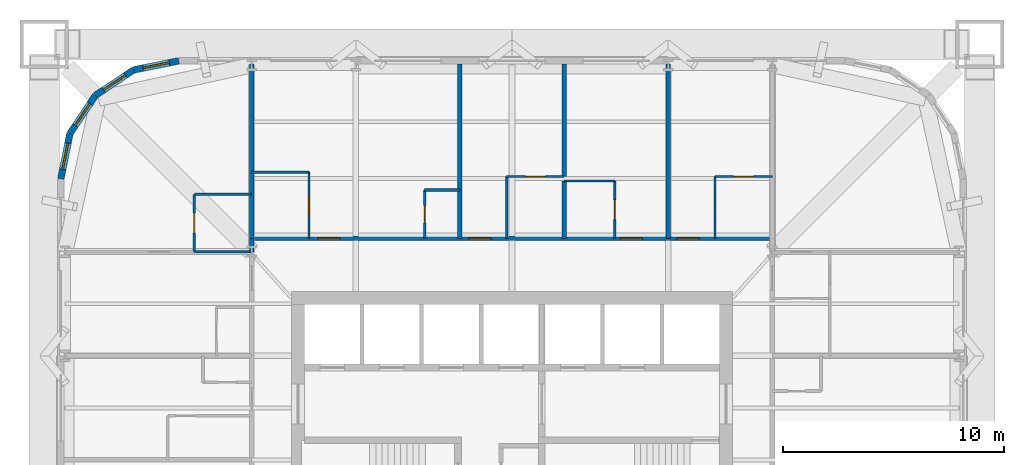
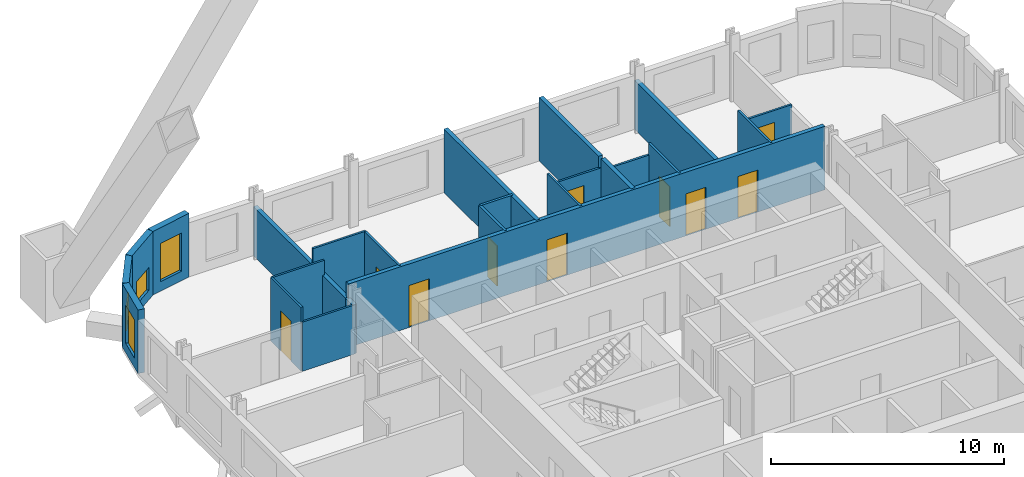
# One storey, part 7 of 9: 24 walls, 10 doors, 4 windows, 14 openings.
"""IFC4 building model written with IfcOpenShell, lengths in metres."""

from ifc_helpers import new_model, si_unit, direction, frame, frame_2d, origin, place, context, subcontext, project, spatial, rectangle, extrude, material, layer, layer_set, type_object, element, fill, save


model = new_model("IFC4")

# Units and contexts
model_context = context("Model", 3, precision=1e-05, world=origin(), true_north=direction((0.0, 1.0)))
body_context = subcontext(model_context, "Body", "Model", "MODEL_VIEW")
ifc_project = project(units=[si_unit("LENGTHUNIT", "METRE"), si_unit("AREAUNIT", "SQUARE_METRE"), si_unit("VOLUMEUNIT", "CUBIC_METRE"), si_unit("PLANEANGLEUNIT", "RADIAN"), si_unit("MASSUNIT", "GRAM", prefix="KILO")], contexts=[model_context])

# Site, building, storey
site_placement = place(None, origin())
site = spatial("IfcSite", under=ifc_project, at=site_placement, CompositionType="ELEMENT")
building_placement = place(site_placement, origin())
building = spatial("IfcBuilding", under=site, at=building_placement, Name="Turquesa Mirador Hotel Tower", CompositionType="ELEMENT")
storey_placement = place(building_placement, frame((0.0, 0.0, 93.39990234375)))
storey = spatial("IfcBuildingStorey", under=building, at=storey_placement, Name="L24", CompositionType="ELEMENT", Elevation=93.39990234375)

# Walls
ifc_material_1 = material(Name="Gypsum board on steel studs", Category="steel")
ifc_layer_1 = layer(ifc_material_1, 0.10009765625)
ifc_layer_set_1 = layer_set([ifc_layer_1], Name="BATHROOM WALL 100")
wall_type_1 = type_object("IfcWallType", Name="BATHROOM WALL 100", PredefinedType="PARTITIONING", material=ifc_layer_set_1)
wall_1_placement = place(storey_placement, frame((40.60009765625, 56.800048828125, 0.0), z_axis=(0.0, 0.0, 1.0), x_axis=(1.0, 0.0, 0.0)))
element("IfcWall", 1, at=wall_1_placement, inside=storey, type_object=wall_type_1, Name="Partition L24 021", PredefinedType="PARTITIONING", context=body_context, shape_type="SweptSolid", body=[
    extrude(rectangle(XDim=2.599853515625, YDim=0.10009765625, at=frame_2d((1.2998046875, 0.0))), origin(), (0.0, 0.0, 1.0), 2.5732421875),
])
wall_2_placement = place(storey_placement, frame((40.60009765625, 59.39990234375, 0.0), z_axis=(0.0, 0.0, 1.0), x_axis=(1.0, 0.0, 0.0)))
element("IfcWall", 2, at=wall_2_placement, inside=storey, type_object=wall_type_1, Name="Partition L24 025", PredefinedType="PARTITIONING", context=body_context, shape_type="SweptSolid", body=[
    extrude(rectangle(XDim=2.599853515625, YDim=0.10009765625, at=frame_2d((1.2998046875, 0.0))), origin(), (0.0, 0.0, 1.0), 3.330078125),
])
wall_3_placement = place(storey_placement, frame((57.360107421875, 60.0, 0.0), z_axis=(0.0, 0.0, 1.0), x_axis=(1.0, 0.0, 0.0)))
element("IfcWall", 3, at=wall_3_placement, inside=storey, type_object=wall_type_1, Name="Partition L24 027", PredefinedType="PARTITIONING", context=body_context, shape_type="SweptSolid", body=[
    extrude(rectangle(XDim=2.2998046875, YDim=0.10009765625, at=frame_2d((1.14990234375, 0.0))), origin(), (0.0, 0.0, 1.0), 2.730712890625),
])

# Wall, opening, door
wall_4_placement = place(storey_placement, frame((54.760009765625, 60.199951171875, 0.0), z_axis=(0.0, 0.0, 1.0), x_axis=(1.0, 0.0, 0.0)))
wall_4 = element("IfcWall", 4, at=wall_4_placement, inside=storey, type_object=wall_type_1, Name="Partition L24 028", PredefinedType="PARTITIONING", context=body_context, shape_type="SweptSolid", body=[
    extrude(rectangle(XDim=2.60009765625, YDim=0.10009765625, at=frame_2d((1.300048828125, 0.0))), origin(), (0.0, 0.0, 1.0), 2.730712890625),
])
opening_1_placement = place(wall_4_placement, frame((0.85009765625, 0.0, 0.0)))
opening_1 = element("IfcOpeningElement", 5, at=opening_1_placement, cuts=wall_4, Name="Opening D02", PredefinedType="OPENING", context=body_context, shape_type="SweptSolid", body=[
    extrude(rectangle(XDim=0.89990234375, YDim=2.10009765625, at=frame_2d((0.449951171875, 1.050048828125))), frame((0.0, 0.06005859375, 0.0), z_axis=(0.0, -1.0, 0.0), x_axis=(1.0, 0.0, 0.0)), (0.0, 0.0, 1.0), 0.1201171875),
])
ifc_material_2 = material(Name="Timber veneered door", Category="wood")
door_type_1 = type_object("IfcDoorType", Name="DOOR 900X2100 EN-SUITE", OperationType="SINGLE_SWING_RIGHT", PredefinedType="DOOR", material=ifc_material_2)
door_1_placement = place(opening_1_placement, origin())
door_1 = element("IfcDoor", 6, at=door_1_placement, inside=storey, type_object=door_type_1, Name="Door 2402B", OperationType="SINGLE_SWING_RIGHT", OverallHeight=2.10009765625, OverallWidth=0.89990234375, PredefinedType="DOOR", context=body_context, shape_type="SweptSolid", body=[
    extrude(rectangle(XDim=0.89990234375, YDim=2.10009765625, at=frame_2d((0.449951171875, 1.050048828125))), frame((0.0, 0.02490234375, 0.0), z_axis=(0.0, -1.0, 0.0), x_axis=(1.0, 0.0, 0.0)), (0.0, 0.0, 1.0), 0.050048828125),
])
fill(opening_1, door_1)

wall_5_placement = place(storey_placement, frame((64.199951171875, 60.199951171875, 0.0), z_axis=(0.0, 0.0, 1.0), x_axis=(1.0, 0.0, 0.0)))
wall_5 = element("IfcWall", 7, at=wall_5_placement, inside=storey, type_object=wall_type_1, Name="Partition L24 029", PredefinedType="PARTITIONING", context=body_context, shape_type="SweptSolid", body=[
    extrude(rectangle(XDim=2.60009765625, YDim=0.10009765625, at=frame_2d((1.300048828125, 0.0))), origin(), (0.0, 0.0, 1.0), 2.730712890625),
])
opening_2_placement = place(wall_5_placement, frame((0.85009765625, 0.0, 0.0)))
opening_2 = element("IfcOpeningElement", 8, at=opening_2_placement, cuts=wall_5, Name="Opening D02", PredefinedType="OPENING", context=body_context, shape_type="SweptSolid", body=[
    extrude(rectangle(XDim=0.89990234375, YDim=2.10009765625, at=frame_2d((0.449951171875, 1.050048828125))), frame((0.0, 0.06005859375, 0.0), z_axis=(0.0, -1.0, 0.0), x_axis=(1.0, 0.0, 0.0)), (0.0, 0.0, 1.0), 0.1201171875),
])
door_2_placement = place(opening_2_placement, origin())
door_2 = element("IfcDoor", 9, at=door_2_placement, inside=storey, type_object=door_type_1, Name="Door 2404B", OperationType="SINGLE_SWING_RIGHT", OverallHeight=2.10009765625, OverallWidth=0.89990234375, PredefinedType="DOOR", context=body_context, shape_type="SweptSolid", body=[
    extrude(rectangle(XDim=0.89990234375, YDim=2.10009765625, at=frame_2d((0.449951171875, 1.050048828125))), frame((0.0, 0.02490234375, 0.0), z_axis=(0.0, -1.0, 0.0), x_axis=(1.0, 0.0, 0.0)), (0.0, 0.0, 1.0), 0.050048828125),
])
fill(opening_2, door_2)

# Walls
wall_6_placement = place(storey_placement, frame((43.199951171875, 60.39990234375, 0.0), z_axis=(0.0, 0.0, 1.0), x_axis=(1.0, 0.0, 0.0)))
element("IfcWall", 10, at=wall_6_placement, inside=storey, type_object=wall_type_1, Name="Partition L24 030", PredefinedType="PARTITIONING", context=body_context, shape_type="SweptSolid", body=[
    extrude(rectangle(XDim=2.60009765625, YDim=0.10009765625, at=frame_2d((1.300048828125, 0.0))), origin(), (0.0, 0.0, 1.0), 3.330078125),
])
wall_7_placement = place(storey_placement, frame((54.760009765625, 57.39990234375, 0.0), z_axis=(0.0, 0.0, 1.0), x_axis=(0.0, 1.0, 0.0)))
element("IfcWall", 11, at=wall_7_placement, inside=storey, type_object=wall_type_1, Name="Partition L24 040", PredefinedType="PARTITIONING", context=body_context, shape_type="SweptSolid", body=[
    extrude(rectangle(XDim=2.800048828125, YDim=0.10009765625, at=frame_2d((1.39990234375, 0.0))), origin(), (0.0, 0.0, 1.0), 3.330078125),
])

# Wall, opening, door
wall_8_placement = place(storey_placement, frame((40.60009765625, 56.800048828125, 0.0), z_axis=(0.0, 0.0, 1.0), x_axis=(0.0, 1.0, 0.0)))
wall_8 = element("IfcWall", 12, at=wall_8_placement, inside=storey, type_object=wall_type_1, Name="Partition L24 049", PredefinedType="PARTITIONING", context=body_context, shape_type="SweptSolid", body=[
    extrude(rectangle(XDim=2.599853515625, YDim=0.10009765625, at=frame_2d((1.2998046875, 0.0))), origin(), (0.0, 0.0, 1.0), 3.330078125),
])
opening_3_placement = place(wall_8_placement, frame((0.85009765625, 0.0, 0.0)))
opening_3 = element("IfcOpeningElement", 13, at=opening_3_placement, cuts=wall_8, Name="Opening D02", PredefinedType="OPENING", context=body_context, shape_type="SweptSolid", body=[
    extrude(rectangle(XDim=0.89990234375, YDim=2.10009765625, at=frame_2d((0.449951171875, 1.050048828125))), frame((0.0, 0.06005859375, 0.0), z_axis=(0.0, -1.0, 0.0), x_axis=(1.0, 0.0, 0.0)), (0.0, 0.0, 1.0), 0.1201171875),
])
door_3_placement = place(opening_3_placement, origin())
door_3 = element("IfcDoor", 14, at=door_3_placement, inside=storey, type_object=door_type_1, Name="Door 2412B", OperationType="SINGLE_SWING_RIGHT", OverallHeight=2.10009765625, OverallWidth=0.89990234375, PredefinedType="DOOR", context=body_context, shape_type="SweptSolid", body=[
    extrude(rectangle(XDim=0.89990234375, YDim=2.10009765625, at=frame_2d((0.449951171875, 1.050048828125))), frame((0.0, 0.02490234375, 0.0), z_axis=(0.0, -1.0, 0.0), x_axis=(1.0, 0.0, 0.0)), (0.0, 0.0, 1.0), 0.050048828125),
])
fill(opening_3, door_3)

wall_9_placement = place(storey_placement, frame((45.800048828125, 57.39990234375, 0.0), z_axis=(0.0, 0.0, 1.0), x_axis=(0.0, 1.0, 0.0)))
wall_9 = element("IfcWall", 15, at=wall_9_placement, inside=storey, type_object=wall_type_1, Name="Partition L24 056", PredefinedType="PARTITIONING", context=body_context, shape_type="SweptSolid", body=[
    extrude(rectangle(XDim=3.0, YDim=0.10009765625, at=frame_2d((1.5, 0.0))), origin(), (0.0, 0.0, 1.0), 3.330078125),
])
opening_4_placement = place(wall_9_placement, frame((1.050048828125, 0.0, 0.0)))
opening_4 = element("IfcOpeningElement", 16, at=opening_4_placement, cuts=wall_9, Name="Opening D02", PredefinedType="OPENING", context=body_context, shape_type="SweptSolid", body=[
    extrude(rectangle(XDim=0.89990234375, YDim=2.10009765625, at=frame_2d((0.449951171875, 1.050048828125))), frame((0.0, 0.06005859375, 0.0), z_axis=(0.0, -1.0, 0.0), x_axis=(1.0, 0.0, 0.0)), (0.0, 0.0, 1.0), 0.1201171875),
])
door_4_placement = place(opening_4_placement, origin())
door_4 = element("IfcDoor", 17, at=door_4_placement, inside=storey, type_object=door_type_1, Name="Door 2401B", OperationType="SINGLE_SWING_RIGHT", OverallHeight=2.10009765625, OverallWidth=0.89990234375, PredefinedType="DOOR", context=body_context, shape_type="SweptSolid", body=[
    extrude(rectangle(XDim=0.89990234375, YDim=2.10009765625, at=frame_2d((0.449951171875, 1.050048828125))), frame((0.0, 0.02490234375, 0.0), z_axis=(0.0, -1.0, 0.0), x_axis=(1.0, 0.0, 0.0)), (0.0, 0.0, 1.0), 0.050048828125),
])
fill(opening_4, door_4)

wall_10_placement = place(storey_placement, frame((59.659912109375, 57.39990234375, 0.0), z_axis=(0.0, 0.0, 1.0), x_axis=(0.0, 1.0, 0.0)))
wall_10 = element("IfcWall", 18, at=wall_10_placement, inside=storey, type_object=wall_type_1, Name="Partition L24 073", PredefinedType="PARTITIONING", context=body_context, shape_type="SweptSolid", body=[
    extrude(rectangle(XDim=2.60009765625, YDim=0.10009765625, at=frame_2d((1.300048828125, 0.0))), origin(), (0.0, 0.0, 1.0), 3.330078125),
])
opening_5_placement = place(wall_10_placement, frame((0.85009765625, 0.0, 0.0)))
opening_5 = element("IfcOpeningElement", 19, at=opening_5_placement, cuts=wall_10, Name="Opening D02", PredefinedType="OPENING", context=body_context, shape_type="SweptSolid", body=[
    extrude(rectangle(XDim=0.89990234375, YDim=2.10009765625, at=frame_2d((0.449951171875, 1.050048828125))), frame((0.0, 0.06005859375, 0.0), z_axis=(0.0, -1.0, 0.0), x_axis=(1.0, 0.0, 0.0)), (0.0, 0.0, 1.0), 0.1201171875),
])
door_5_placement = place(opening_5_placement, origin())
door_5 = element("IfcDoor", 20, at=door_5_placement, inside=storey, type_object=door_type_1, Name="Door 2403B", OperationType="SINGLE_SWING_RIGHT", OverallHeight=2.10009765625, OverallWidth=0.89990234375, PredefinedType="DOOR", context=body_context, shape_type="SweptSolid", body=[
    extrude(rectangle(XDim=0.89990234375, YDim=2.10009765625, at=frame_2d((0.449951171875, 1.050048828125))), frame((0.0, 0.02490234375, 0.0), z_axis=(0.0, -1.0, 0.0), x_axis=(1.0, 0.0, 0.0)), (0.0, 0.0, 1.0), 0.050048828125),
])
fill(opening_5, door_5)

# Wall
wall_11_placement = place(storey_placement, frame((64.199951171875, 57.39990234375, 0.0), z_axis=(0.0, 0.0, 1.0), x_axis=(0.0, 1.0, 0.0)))
element("IfcWall", 21, at=wall_11_placement, inside=storey, type_object=wall_type_1, Name="Partition L24 076", PredefinedType="PARTITIONING", context=body_context, shape_type="SweptSolid", body=[
    extrude(rectangle(XDim=2.800048828125, YDim=0.10009765625, at=frame_2d((1.39990234375, 0.0))), origin(), (0.0, 0.0, 1.0), 3.330078125),
])

# Wall, openings, doors
ifc_material_3 = material(Name="Fire-rated gypsum board on steel studs", Category="steel")
ifc_layer_2 = layer(ifc_material_3, 0.199951171875)
ifc_layer_set_2 = layer_set([ifc_layer_2], Name="CORRIDOR WALL 200")
wall_type_2 = type_object("IfcWallType", Name="CORRIDOR WALL 200", PredefinedType="PARTITIONING", material=ifc_layer_set_2)
wall_12_placement = place(storey_placement, frame((43.199951171875, 57.39990234375, 0.0), z_axis=(0.0, 0.0, 1.0), x_axis=(1.0, 0.0, 0.0)))
wall_12 = element("IfcWall", 22, at=wall_12_placement, inside=storey, type_object=wall_type_2, Name="Partition L24 024", PredefinedType="PARTITIONING", context=body_context, shape_type="SweptSolid", body=[
    extrude(rectangle(XDim=23.60009765625, YDim=0.199951171875, at=frame_2d((11.800048828125, 0.0))), origin(), (0.0, 0.0, 1.0), 3.330078125),
])
opening_6_placement = place(wall_12_placement, frame((3.0, 0.0, 0.0)))
opening_6 = element("IfcOpeningElement", 23, at=opening_6_placement, cuts=wall_12, Name="Opening D01", PredefinedType="OPENING", context=body_context, shape_type="SweptSolid", body=[
    extrude(rectangle(XDim=1.0, YDim=2.199951171875, at=frame_2d((0.5, 1.10009765625))), frame((0.0, 0.10986328125, 0.0), z_axis=(0.0, -1.0, 0.0), x_axis=(1.0, 0.0, 0.0)), (0.0, 0.0, 1.0), 0.219970703125),
])
opening_7_placement = place(wall_12_placement, frame((9.840087890625, 0.0, 0.0)))
opening_7 = element("IfcOpeningElement", 24, at=opening_7_placement, cuts=wall_12, Name="Opening D01", PredefinedType="OPENING", context=body_context, shape_type="SweptSolid", body=[
    extrude(rectangle(XDim=1.0, YDim=2.199951171875, at=frame_2d((0.5, 1.10009765625))), frame((0.0, 0.10986328125, 0.0), z_axis=(0.0, -1.0, 0.0), x_axis=(1.0, 0.0, 0.0)), (0.0, 0.0, 1.0), 0.219970703125),
])
opening_8_placement = place(wall_12_placement, frame((16.7099609375, 0.0, 0.0)))
opening_8 = element("IfcOpeningElement", 25, at=opening_8_placement, cuts=wall_12, Name="Opening D01", PredefinedType="OPENING", context=body_context, shape_type="SweptSolid", body=[
    extrude(rectangle(XDim=1.0, YDim=2.199951171875, at=frame_2d((0.5, 1.10009765625))), frame((0.0, 0.10986328125, 0.0), z_axis=(0.0, -1.0, 0.0), x_axis=(1.0, 0.0, 0.0)), (0.0, 0.0, 1.0), 0.219970703125),
])
opening_9_placement = place(wall_12_placement, frame((19.280029296875, 0.0, 0.0)))
opening_9 = element("IfcOpeningElement", 26, at=opening_9_placement, cuts=wall_12, Name="Opening D01", PredefinedType="OPENING", context=body_context, shape_type="SweptSolid", body=[
    extrude(rectangle(XDim=1.0, YDim=2.199951171875, at=frame_2d((0.5, 1.10009765625))), frame((0.0, 0.10986328125, 0.0), z_axis=(0.0, -1.0, 0.0), x_axis=(1.0, 0.0, 0.0)), (0.0, 0.0, 1.0), 0.219970703125),
])
ifc_material_4 = material(Name="Timber veneered fire door", Category="wood")
door_type_2 = type_object("IfcDoorType", Name="DOOR 1000X2200 GUEST ENTRY", OperationType="SINGLE_SWING_LEFT", PredefinedType="DOOR", material=ifc_material_4)
door_6_placement = place(opening_6_placement, origin())
door_6 = element("IfcDoor", 27, at=door_6_placement, inside=storey, type_object=door_type_2, Name="Door 2401", OperationType="SINGLE_SWING_LEFT", OverallHeight=2.199951171875, OverallWidth=1.0, PredefinedType="DOOR", context=body_context, shape_type="SweptSolid", body=[
    extrude(rectangle(XDim=1.0, YDim=2.199951171875, at=frame_2d((0.5, 1.10009765625))), frame((0.0, 0.02490234375, 0.0), z_axis=(0.0, -1.0, 0.0), x_axis=(1.0, 0.0, 0.0)), (0.0, 0.0, 1.0), 0.050048828125),
])
fill(opening_6, door_6)
door_7_placement = place(opening_7_placement, origin())
door_7 = element("IfcDoor", 28, at=door_7_placement, inside=storey, type_object=door_type_2, Name="Door 2402", OperationType="SINGLE_SWING_LEFT", OverallHeight=2.199951171875, OverallWidth=1.0, PredefinedType="DOOR", context=body_context, shape_type="SweptSolid", body=[
    extrude(rectangle(XDim=1.0, YDim=2.199951171875, at=frame_2d((0.5, 1.10009765625))), frame((0.0, 0.02490234375, 0.0), z_axis=(0.0, -1.0, 0.0), x_axis=(1.0, 0.0, 0.0)), (0.0, 0.0, 1.0), 0.050048828125),
])
fill(opening_7, door_7)
door_8_placement = place(opening_8_placement, origin())
door_8 = element("IfcDoor", 29, at=door_8_placement, inside=storey, type_object=door_type_2, Name="Door 2403", OperationType="SINGLE_SWING_LEFT", OverallHeight=2.199951171875, OverallWidth=1.0, PredefinedType="DOOR", context=body_context, shape_type="SweptSolid", body=[
    extrude(rectangle(XDim=1.0, YDim=2.199951171875, at=frame_2d((0.5, 1.10009765625))), frame((0.0, 0.02490234375, 0.0), z_axis=(0.0, -1.0, 0.0), x_axis=(1.0, 0.0, 0.0)), (0.0, 0.0, 1.0), 0.050048828125),
])
fill(opening_8, door_8)
door_9_placement = place(opening_9_placement, origin())
door_9 = element("IfcDoor", 30, at=door_9_placement, inside=storey, type_object=door_type_2, Name="Door 2404", OperationType="SINGLE_SWING_LEFT", OverallHeight=2.199951171875, OverallWidth=1.0, PredefinedType="DOOR", context=body_context, shape_type="SweptSolid", body=[
    extrude(rectangle(XDim=1.0, YDim=2.199951171875, at=frame_2d((0.5, 1.10009765625))), frame((0.0, 0.02490234375, 0.0), z_axis=(0.0, -1.0, 0.0), x_axis=(1.0, 0.0, 0.0)), (0.0, 0.0, 1.0), 0.050048828125),
])
fill(opening_9, door_9)

# Wall
wall_13_placement = place(storey_placement, frame((43.199951171875, 56.780029296875, 0.0), z_axis=(0.0, 0.0, 1.0), x_axis=(0.0, 1.0, 0.0)))
element("IfcWall", 31, at=wall_13_placement, inside=storey, type_object=wall_type_2, Name="Partition L24 078", PredefinedType="PARTITIONING", context=body_context, shape_type="SweptSolid", body=[
    extrude(rectangle(XDim=0.619873046875, YDim=0.199951171875, at=frame_2d((0.31005859375, 0.0))), origin(), (0.0, 0.0, 1.0), 2.5732421875),
])

# Wall, opening, window
ifc_material_5 = material(Name="Limestone cladding on concrete block", Category="masonry")
ifc_layer_3 = layer(ifc_material_5, 0.300048828125)
ifc_layer_set_3 = layer_set([ifc_layer_3], Name="FACADE WALL 300 STONE SCREEN")
wall_type_3 = type_object("IfcWallType", Name="FACADE WALL 300 STONE SCREEN", PredefinedType="SOLIDWALL", material=ifc_layer_set_3)
wall_14_placement = place(storey_placement, frame((39.89990234375, 65.449951171875, 0.0), z_axis=(0.0, 0.0, 1.0), x_axis=(-0.980787050784, -0.195081421501, 0.0)))
wall_14 = element("IfcWall", 32, at=wall_14_placement, inside=storey, type_object=wall_type_3, Name="Facade wall L24 10", PredefinedType="SOLIDWALL", context=body_context, shape_type="SweptSolid", body=[
    extrude(rectangle(XDim=2.08740234375, YDim=0.300048828125, at=frame_2d((1.043701171875, 0.0))), origin(), (0.0, 0.0, 1.0), 3.330078125),
])
opening_10_placement = place(wall_14_placement, frame((0.443603515625, 0.0, 0.5)))
opening_10 = element("IfcOpeningElement", 33, at=opening_10_placement, cuts=wall_14, Name="Opening WN4", PredefinedType="OPENING", context=body_context, shape_type="SweptSolid", body=[
    extrude(rectangle(XDim=1.199951171875, YDim=2.0, at=frame_2d((0.60009765625, 1.0))), frame((0.0, 0.159912109375, 0.0), z_axis=(0.0, -1.0, 0.0), x_axis=(1.0, 0.0, 0.0)), (0.0, 0.0, 1.0), 0.320068359375),
])
ifc_material_6 = material(Name="Ceramic-fritted laminated glass", Category="glass")
window_type_1 = type_object("IfcWindowType", Name="FRITTED CORNER WINDOW 1200X2000", PartitioningType="DOUBLE_PANEL_HORIZONTAL", PredefinedType="WINDOW", material=ifc_material_6)
window_1_placement = place(opening_10_placement, origin())
window_1 = element("IfcWindow", 34, at=window_1_placement, inside=storey, type_object=window_type_1, Name="Window L24", OverallHeight=2.0, OverallWidth=1.199951171875, PartitioningType="SINGLE_PANEL", PredefinedType="WINDOW", context=body_context, shape_type="SweptSolid", body=[
    extrude(rectangle(XDim=1.199951171875, YDim=2.0, at=frame_2d((0.60009765625, 1.0))), frame((0.0, 0.030029296875, 0.0), z_axis=(0.0, -1.0, 0.0), x_axis=(1.0, 0.0, 0.0)), (0.0, 0.0, 1.0), 0.06005859375),
])
fill(opening_10, window_1)

wall_15_placement = place(storey_placement, frame((37.8525390625, 65.042724609375, 0.0), z_axis=(0.0, 0.0, 1.0), x_axis=(-0.831474039234, -0.555563607591, 0.0)))
wall_15 = element("IfcWall", 35, at=wall_15_placement, inside=storey, type_object=wall_type_3, Name="Facade wall L24 11", PredefinedType="SOLIDWALL", context=body_context, shape_type="SweptSolid", body=[
    extrude(rectangle(XDim=2.08740234375, YDim=0.300048828125, at=frame_2d((1.043701171875, 0.0))), origin(), (0.0, 0.0, 1.0), 3.330078125),
])
opening_11_placement = place(wall_15_placement, frame((0.443603515625, 0.0, 0.5)))
opening_11 = element("IfcOpeningElement", 36, at=opening_11_placement, cuts=wall_15, Name="Opening WN23", PredefinedType="OPENING", context=body_context, shape_type="SweptSolid", body=[
    extrude(rectangle(XDim=1.199951171875, YDim=1.199951171875, at=frame_2d((0.60009765625, 0.60009765625))), frame((0.0, 0.159912109375, 0.0), z_axis=(0.0, -1.0, 0.0), x_axis=(1.0, 0.0, 0.0)), (0.0, 0.0, 1.0), 0.320068359375),
])
ifc_material_7 = material(Name="Ceramic-fritted laminated glass", Category="glass")
window_type_2 = type_object("IfcWindowType", Name="FRITTED CORNER WINDOW 1200X1200", PartitioningType="DOUBLE_PANEL_HORIZONTAL", PredefinedType="WINDOW", material=ifc_material_7)
window_2_placement = place(opening_11_placement, origin())
window_2 = element("IfcWindow", 37, at=window_2_placement, inside=storey, type_object=window_type_2, Name="Window L24", OverallHeight=1.199951171875, OverallWidth=1.199951171875, PartitioningType="SINGLE_PANEL", PredefinedType="WINDOW", context=body_context, shape_type="SweptSolid", body=[
    extrude(rectangle(XDim=1.199951171875, YDim=1.199951171875, at=frame_2d((0.60009765625, 0.60009765625))), frame((0.0, 0.030029296875, 0.0), z_axis=(0.0, -1.0, 0.0), x_axis=(1.0, 0.0, 0.0)), (0.0, 0.0, 1.0), 0.06005859375),
])
fill(opening_11, window_2)

wall_16_placement = place(storey_placement, frame((36.116943359375, 63.883056640625, 0.0), z_axis=(0.0, 0.0, 1.0), x_axis=(-0.555563607591, -0.831474039234, 0.0)))
wall_16 = element("IfcWall", 38, at=wall_16_placement, inside=storey, type_object=wall_type_3, Name="Facade wall L24 12", PredefinedType="SOLIDWALL", context=body_context, shape_type="SweptSolid", body=[
    extrude(rectangle(XDim=2.08740234375, YDim=0.300048828125, at=frame_2d((1.043701171875, 0.0))), origin(), (0.0, 0.0, 1.0), 3.330078125),
])
opening_12_placement = place(wall_16_placement, frame((0.443603515625, 0.0, 0.5)))
opening_12 = element("IfcOpeningElement", 39, at=opening_12_placement, cuts=wall_16, Name="Opening WN23", PredefinedType="OPENING", context=body_context, shape_type="SweptSolid", body=[
    extrude(rectangle(XDim=1.199951171875, YDim=1.199951171875, at=frame_2d((0.60009765625, 0.60009765625))), frame((0.0, 0.159912109375, 0.0), z_axis=(0.0, -1.0, 0.0), x_axis=(1.0, 0.0, 0.0)), (0.0, 0.0, 1.0), 0.320068359375),
])
window_3_placement = place(opening_12_placement, origin())
window_3 = element("IfcWindow", 40, at=window_3_placement, inside=storey, type_object=window_type_2, Name="Window L24", OverallHeight=1.199951171875, OverallWidth=1.199951171875, PartitioningType="SINGLE_PANEL", PredefinedType="WINDOW", context=body_context, shape_type="SweptSolid", body=[
    extrude(rectangle(XDim=1.199951171875, YDim=1.199951171875, at=frame_2d((0.60009765625, 0.60009765625))), frame((0.0, 0.030029296875, 0.0), z_axis=(0.0, -1.0, 0.0), x_axis=(1.0, 0.0, 0.0)), (0.0, 0.0, 1.0), 0.06005859375),
])
fill(opening_12, window_3)

wall_17_placement = place(storey_placement, frame((34.957275390625, 62.1474609375, 0.0), z_axis=(0.0, 0.0, 1.0), x_axis=(-0.195081421501, -0.980787050784, 0.0)))
wall_17 = element("IfcWall", 41, at=wall_17_placement, inside=storey, type_object=wall_type_3, Name="Facade wall L24 13", PredefinedType="SOLIDWALL", context=body_context, shape_type="SweptSolid", body=[
    extrude(rectangle(XDim=2.08740234375, YDim=0.300048828125, at=frame_2d((1.043701171875, 0.0))), origin(), (0.0, 0.0, 1.0), 3.330078125),
])
opening_13_placement = place(wall_17_placement, frame((0.443603515625, 0.0, 0.5)))
opening_13 = element("IfcOpeningElement", 42, at=opening_13_placement, cuts=wall_17, Name="Opening WN4", PredefinedType="OPENING", context=body_context, shape_type="SweptSolid", body=[
    extrude(rectangle(XDim=1.199951171875, YDim=2.0, at=frame_2d((0.60009765625, 1.0))), frame((0.0, 0.159912109375, 0.0), z_axis=(0.0, -1.0, 0.0), x_axis=(1.0, 0.0, 0.0)), (0.0, 0.0, 1.0), 0.320068359375),
])
window_4_placement = place(opening_13_placement, origin())
window_4 = element("IfcWindow", 43, at=window_4_placement, inside=storey, type_object=window_type_1, Name="Window L24", OverallHeight=2.0, OverallWidth=1.199951171875, PartitioningType="SINGLE_PANEL", PredefinedType="WINDOW", context=body_context, shape_type="SweptSolid", body=[
    extrude(rectangle(XDim=1.199951171875, YDim=2.0, at=frame_2d((0.60009765625, 1.0))), frame((0.0, 0.030029296875, 0.0), z_axis=(0.0, -1.0, 0.0), x_axis=(1.0, 0.0, 0.0)), (0.0, 0.0, 1.0), 0.06005859375),
])
fill(opening_13, window_4)

# Walls
ifc_material_8 = material(Name="Fire-rated gypsum board on steel studs", Category="steel")
ifc_layer_4 = layer(ifc_material_8, 0.199951171875)
ifc_layer_set_4 = layer_set([ifc_layer_4], Name="PARTY WALL 200")
wall_type_4 = type_object("IfcWallType", Name="PARTY WALL 200", PredefinedType="PARTITIONING", material=ifc_layer_set_4)
wall_18_placement = place(storey_placement, frame((43.199951171875, 57.39990234375, 0.0), z_axis=(0.0, 0.0, 1.0), x_axis=(0.0, 1.0, 0.0)))
element("IfcWall", 44, at=wall_18_placement, inside=storey, type_object=wall_type_4, Name="Partition L24 043", PredefinedType="PARTITIONING", context=body_context, shape_type="SweptSolid", body=[
    extrude(rectangle(XDim=7.900146484375, YDim=0.199951171875, at=frame_2d((3.9501953125, 0.0))), origin(), (0.0, 0.0, 1.0), 2.5732421875),
])
wall_19_placement = place(storey_placement, frame((52.639892578125, 57.39990234375, 0.0), z_axis=(0.0, 0.0, 1.0), x_axis=(0.0, 1.0, 0.0)))
element("IfcWall", 45, at=wall_19_placement, inside=storey, type_object=wall_type_4, Name="Partition L24 052", PredefinedType="PARTITIONING", context=body_context, shape_type="SweptSolid", body=[
    extrude(rectangle(XDim=7.900146484375, YDim=0.199951171875, at=frame_2d((3.9501953125, 0.0))), origin(), (0.0, 0.0, 1.0), 3.330078125),
])
wall_20_placement = place(storey_placement, frame((57.360107421875, 57.39990234375, 0.0), z_axis=(0.0, 0.0, 1.0), x_axis=(0.0, 1.0, 0.0)))
element("IfcWall", 46, at=wall_20_placement, inside=storey, type_object=wall_type_4, Name="Partition L24 071", PredefinedType="PARTITIONING", context=body_context, shape_type="SweptSolid", body=[
    extrude(rectangle(XDim=2.60009765625, YDim=0.199951171875, at=frame_2d((1.300048828125, 0.0))), origin(), (0.0, 0.0, 1.0), 3.330078125),
])
wall_21_placement = place(storey_placement, frame((57.360107421875, 60.199951171875, 0.0), z_axis=(0.0, 0.0, 1.0), x_axis=(0.0, 1.0, 0.0)))
element("IfcWall", 47, at=wall_21_placement, inside=storey, type_object=wall_type_4, Name="Partition L24 072", PredefinedType="PARTITIONING", context=body_context, shape_type="SweptSolid", body=[
    extrude(rectangle(XDim=5.10009765625, YDim=0.199951171875, at=frame_2d((2.550048828125, 0.0))), origin(), (0.0, 0.0, 1.0), 3.330078125),
])
wall_22_placement = place(storey_placement, frame((62.080078125, 57.39990234375, 0.0), z_axis=(0.0, 0.0, 1.0), x_axis=(0.0, 1.0, 0.0)))
element("IfcWall", 48, at=wall_22_placement, inside=storey, type_object=wall_type_4, Name="Partition L24 075", PredefinedType="PARTITIONING", context=body_context, shape_type="SweptSolid", body=[
    extrude(rectangle(XDim=7.900146484375, YDim=0.199951171875, at=frame_2d((3.9501953125, 0.0))), origin(), (0.0, 0.0, 1.0), 2.5732421875),
])
ifc_material_9 = material(Name="Acoustic gypsum board on steel studs", Category="steel")
ifc_layer_5 = layer(ifc_material_9, 0.125)
ifc_layer_set_5 = layer_set([ifc_layer_5], Name="SUITE PARTITION 125")
wall_type_5 = type_object("IfcWallType", Name="SUITE PARTITION 125", PredefinedType="PARTITIONING", material=ifc_layer_set_5)
wall_23_placement = place(storey_placement, frame((51.0400390625, 59.60009765625, 0.0), z_axis=(0.0, 0.0, 1.0), x_axis=(1.0, 0.0, 0.0)))
element("IfcWall", 49, at=wall_23_placement, inside=storey, type_object=wall_type_5, Name="Partition L24 026", PredefinedType="PARTITIONING", context=body_context, shape_type="SweptSolid", body=[
    extrude(rectangle(XDim=1.599853515625, YDim=0.125, at=frame_2d((0.7998046875, 0.0))), origin(), (0.0, 0.0, 1.0), 3.330078125),
])

# Wall, opening, door
wall_24_placement = place(storey_placement, frame((51.0400390625, 57.39990234375, 0.0), z_axis=(0.0, 0.0, 1.0), x_axis=(0.0, 1.0, 0.0)))
wall_24 = element("IfcWall", 50, at=wall_24_placement, inside=storey, type_object=wall_type_5, Name="Partition L24 054", PredefinedType="PARTITIONING", context=body_context, shape_type="SweptSolid", body=[
    extrude(rectangle(XDim=2.2001953125, YDim=0.125, at=frame_2d((1.10009765625, 0.0))), origin(), (0.0, 0.0, 1.0), 3.330078125),
])
opening_14_placement = place(wall_24_placement, frame((0.699951171875, 0.0, 0.0)))
opening_14 = element("IfcOpeningElement", 51, at=opening_14_placement, cuts=wall_24, Name="Opening D20", PredefinedType="OPENING", context=body_context, shape_type="SweptSolid", body=[
    extrude(rectangle(XDim=0.800048828125, YDim=2.10009765625, at=frame_2d((0.39990234375, 1.050048828125))), frame((0.0, 0.072509765625, 0.0), z_axis=(0.0, -1.0, 0.0), x_axis=(1.0, 0.0, 0.0)), (0.0, 0.0, 1.0), 0.14501953125),
])
ifc_material_10 = material(Name="Timber veneered sliding door", Category="wood")
door_type_3 = type_object("IfcDoorType", Name="DOOR 800X2100 WARDROBE", OperationType="SLIDING_TO_LEFT", PredefinedType="DOOR", material=ifc_material_10)
door_10_placement = place(opening_14_placement, origin())
door_10 = element("IfcDoor", 52, at=door_10_placement, inside=storey, type_object=door_type_3, Name="Door 2401W", OperationType="SLIDING_TO_LEFT", OverallHeight=2.10009765625, OverallWidth=0.800048828125, PredefinedType="DOOR", context=body_context, shape_type="SweptSolid", body=[
    extrude(rectangle(XDim=0.800048828125, YDim=2.10009765625, at=frame_2d((0.39990234375, 1.050048828125))), frame((0.0, 0.02490234375, 0.0), z_axis=(0.0, -1.0, 0.0), x_axis=(1.0, 0.0, 0.0)), (0.0, 0.0, 1.0), 0.050048828125),
])
fill(opening_14, door_10)

save(model, "model.ifc")
